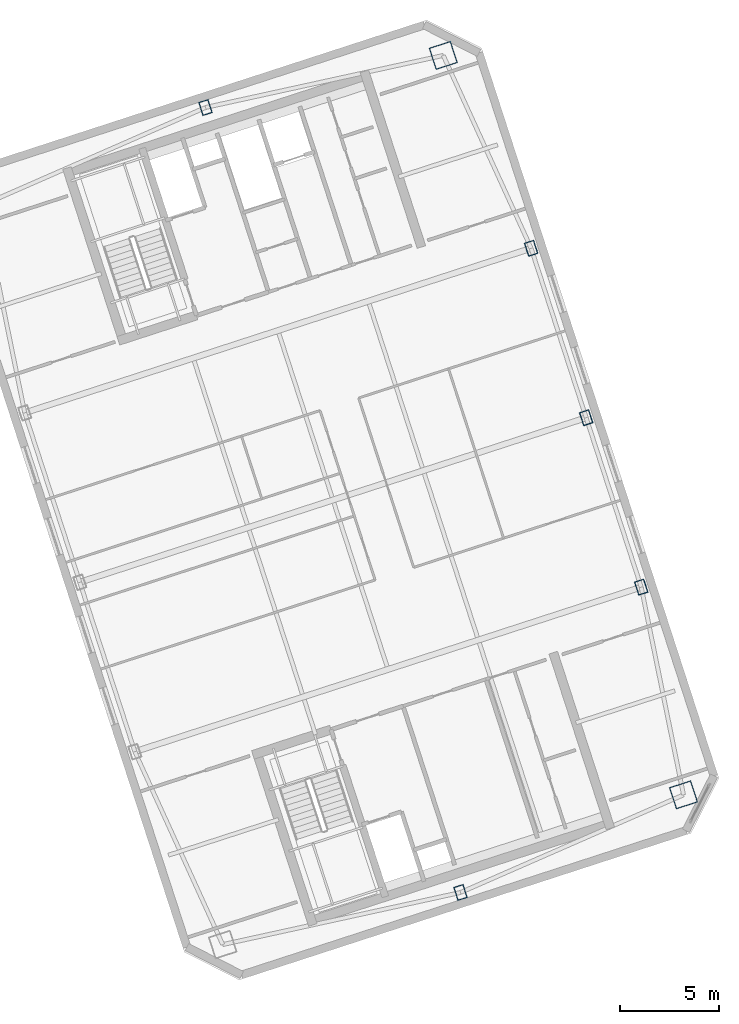
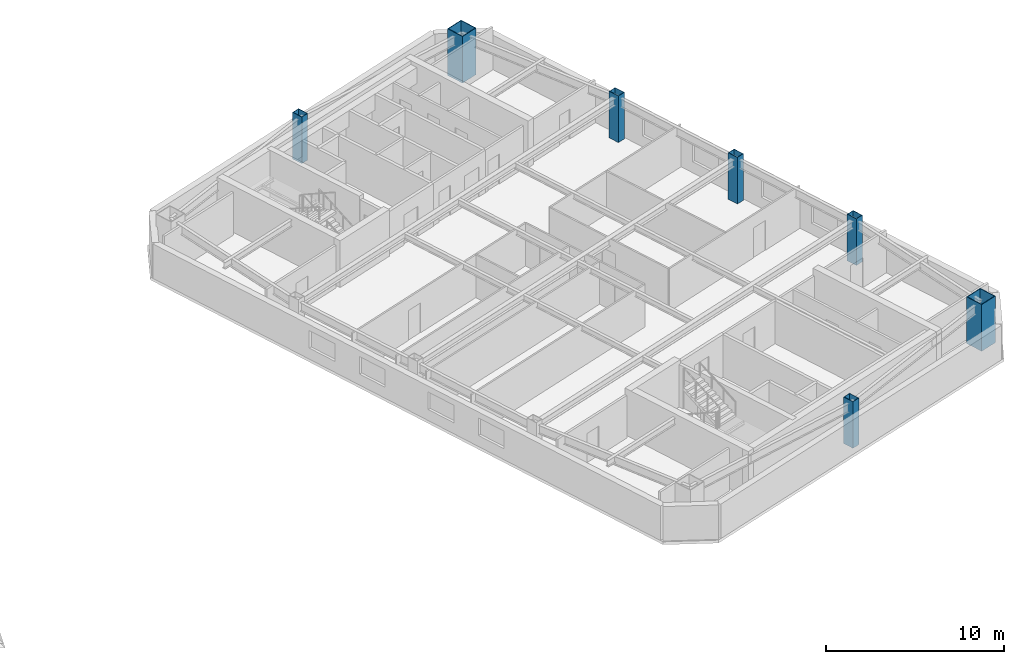
# One storey, part 2 of 20: 7 columns.
"""IFC4 building model written with IfcOpenShell, lengths in metres."""

from ifc_helpers import new_model, si_unit, direction, frame, origin, origin_2d, place, context, subcontext, project, spatial, hollow_rectangle, extrude, material, material_profile, profile_set, type_object, element, save


model = new_model("IFC4")

# Units and contexts
model_context = context("Model", 3, precision=1e-05, world=origin(), true_north=direction((0.0, 1.0)))
body_context = subcontext(model_context, "Body", "Model", "MODEL_VIEW")
ifc_project = project(units=[si_unit("LENGTHUNIT", "METRE"), si_unit("AREAUNIT", "SQUARE_METRE"), si_unit("VOLUMEUNIT", "CUBIC_METRE"), si_unit("PLANEANGLEUNIT", "RADIAN"), si_unit("MASSUNIT", "GRAM", prefix="KILO")], contexts=[model_context])

# Site, building, storey
site_placement = place(None, origin())
site = spatial("IfcSite", under=ifc_project, at=site_placement, CompositionType="ELEMENT")
building_placement = place(site_placement, origin())
building = spatial("IfcBuilding", under=site, at=building_placement, Name="Qiaolan Cultural Towers", CompositionType="ELEMENT")
storey_placement = place(building_placement, frame((0.0, 0.0, 244.0)))
storey = spatial("IfcBuildingStorey", under=building, at=storey_placement, Name="L66", CompositionType="ELEMENT", Elevation=244.0)

# Columns
ifc_material_1 = material(Name="Steel Q390GJB", Category="steel")
ifc_material_profile_1 = material_profile(ifc_material_1, hollow_rectangle(XDim=1.14990234375, YDim=1.14990234375, WallThickness=0.0400390625, at=origin_2d()), Name="BOX1150x1150x40")
ifc_profile_set_1 = profile_set([ifc_material_profile_1], Name="Steel Q390GJB")
column_type_1 = type_object("IfcColumnType", Name="COL-BOX1150x1150x40", PredefinedType="COLUMN", material=ifc_profile_set_1)
for number, where, z_axis, x_axis, name in (
    (1, (107.7099609375, 19.103515625, 0.0), (0.0, 0.0, 1.0), (0.951056516295, 0.309016994375, 0.0), "L66 T2 Perimeter Column MC-SE"),
    (2, (95.57177734375, 56.461181640625, 0.0), (0.0, 0.0, 1.0), (0.951056516295, 0.309016994375, 0.0), "L66 T2 Perimeter Column MC-NE"),
):
    element("IfcColumn", number, at=place(storey_placement, frame(where, z_axis=z_axis, x_axis=x_axis)), inside=storey, type_object=column_type_1, Name=name, PredefinedType="COLUMN", context=body_context, shape_type="SweptSolid", body=[
        extrude(hollow_rectangle(XDim=1.14990234375, YDim=1.14990234375, WallThickness=0.0400390625, at=origin_2d()), origin(), (0.0, 0.0, 1.0), 3.200927734375),
    ])
ifc_material_2 = material(Name="Steel Q355B", Category="steel")
ifc_material_profile_2 = material_profile(ifc_material_2, hollow_rectangle(XDim=0.5, YDim=0.699951171875, WallThickness=0.02490234375, at=origin_2d()), Name="BOX700x500x25")
ifc_profile_set_2 = profile_set([ifc_material_profile_2], Name="Steel Q355B")
column_type_2 = type_object("IfcColumnType", Name="COL-BOX700x500x25", PredefinedType="COLUMN", material=ifc_profile_set_2)
for number, where, z_axis, x_axis, name in (
    (3, (105.57275390625, 29.5966796875, 0.0), (0.0, 0.0, 1.0), (0.951056516295, 0.309016994375, 0.0), "L66 T2 Perimeter Column PC-E1"),
    (4, (102.791748046875, 38.15625, 0.0), (0.0, 0.0, 1.0), (0.951056516295, 0.309016994375, 0.0), "L66 T2 Perimeter Column PC-E2"),
    (5, (100.010498046875, 46.7158203125, 0.0), (0.0, 0.0, 1.0), (0.951056516295, 0.309016994375, 0.0), "L66 T2 Perimeter Column PC-E3"),
    (6, (96.443115234375, 14.17041015625, 0.0), (0.0, 0.0, 1.0), (0.951056516295, 0.309016994375, 0.0), "L66 T2 Perimeter Column PC-S0"),
    (7, (83.556884765625, 53.82958984375, 0.0), (0.0, 0.0, 1.0), (0.951056516295, 0.309016994375, 0.0), "L66 T2 Perimeter Column PC-N0"),
):
    element("IfcColumn", number, at=place(storey_placement, frame(where, z_axis=z_axis, x_axis=x_axis)), inside=storey, type_object=column_type_2, Name=name, PredefinedType="COLUMN", context=body_context, shape_type="SweptSolid", body=[
        extrude(hollow_rectangle(XDim=0.5, YDim=0.699951171875, WallThickness=0.02490234375, at=origin_2d()), origin(), (0.0, 0.0, 1.0), 3.200927734375),
    ])

save(model, "model.ifc")
